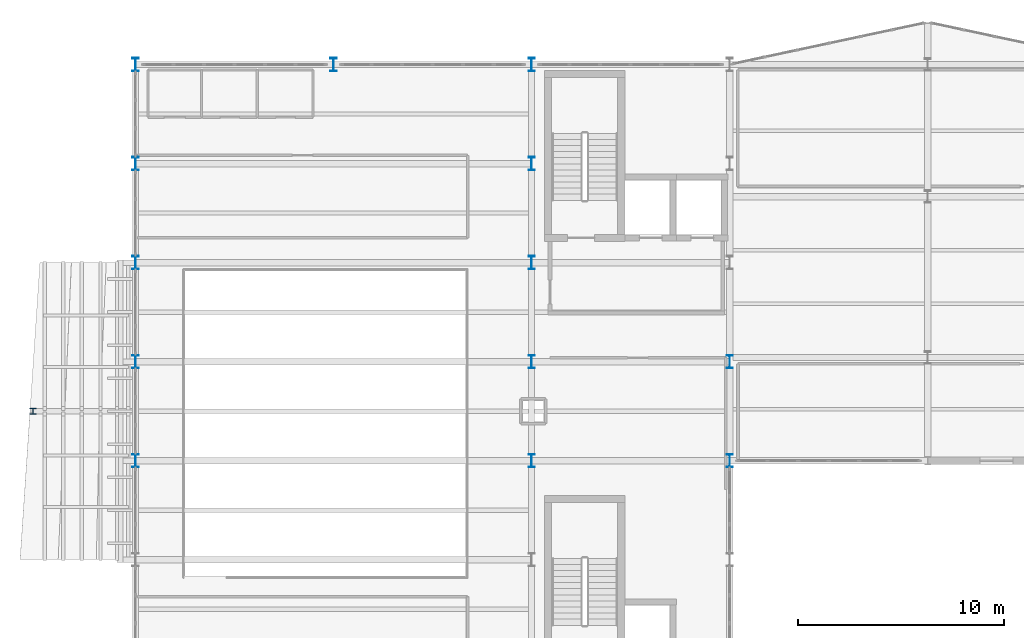
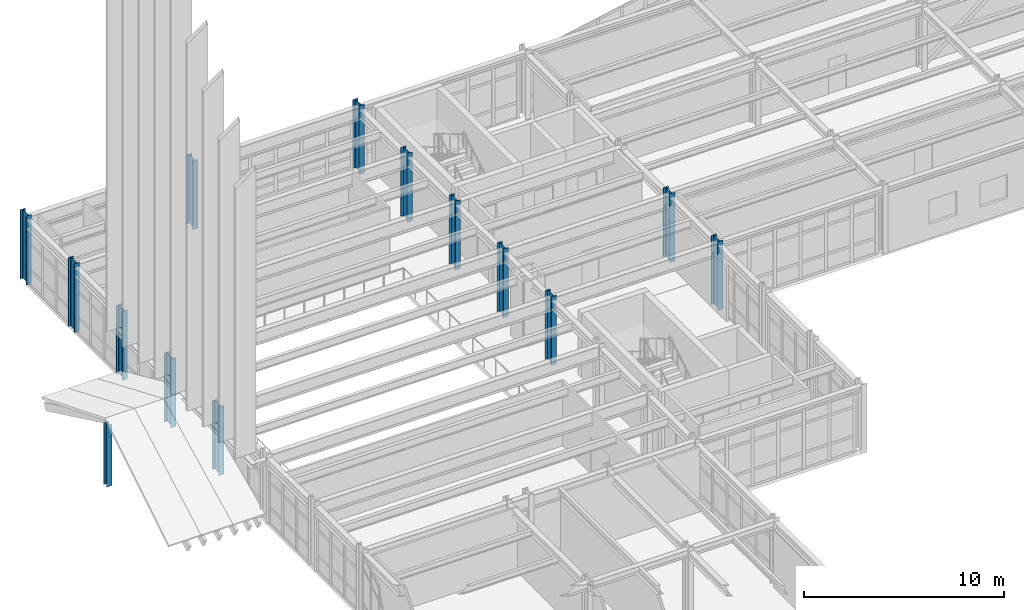
# One storey, part 11 of 99: 14 columns.
"""IFC4 building model written with IfcOpenShell, lengths in metres."""

import ifcopenshell
import ifcopenshell.guid

model = None  # the IFC model being written
_history = None  # IfcOwnerHistory: only IFC2X3 demands one
_inside = {}  # id of a spatial element -> (the spatial element, [elements in it])
_under = {}  # id of a project, library or spatial element -> (it, [spatial elements below it])
_declared = {}  # id of a project -> (the project, [libraries it declares])
_typed = {}  # id of a type object -> (the type object, [elements of that type])
_made_of = {}  # id of a material, layer set ... -> (it, [elements and type objects made of it])


def new_model(schema):
    """Start an empty IFC model of exactly this schema.

    Asked for "IFC4X3", IfcOpenShell would pick the latest addendum, in which some entities
    have other attributes; the version numbers below select the first issue.
    IFC2X3 requires an IfcOwnerHistory on every rooted entity: one is made here for all.
    """
    global model, _history
    if schema == "IFC4X3":
        model = ifcopenshell.file(schema_version=(4, 3, 0, 0))
    else:
        model = ifcopenshell.file(schema=schema)
    _inside.clear()
    _under.clear()
    _declared.clear()
    _typed.clear()
    _made_of.clear()
    _history = None
    if model.schema == "IFC2X3":
        org = make("IfcOrganization", Name="unknown")
        user = make(
            "IfcPersonAndOrganization",
            ThePerson=make("IfcPerson", FamilyName="unknown"),
            TheOrganization=org,
        )
        app = make(
            "IfcApplication",
            ApplicationDeveloper=org,
            Version="unknown",
            ApplicationFullName="unknown",
            ApplicationIdentifier="unknown",
        )
        _history = make(
            "IfcOwnerHistory",
            OwningUser=user,
            OwningApplication=app,
            ChangeAction="ADDED",
            CreationDate=0,
        )
    return model


def make(cls, **values):
    """One entity of the class cls with the attributes given. An attribute that is None is left unset."""
    return model.create_entity(
        cls, **{name: value for name, value in values.items() if value is not None}
    )


def rooted(cls, **values):
    """An entity with a GlobalId (a new one), such as an element, a storey or a relation."""
    return make(cls, GlobalId=ifcopenshell.guid.new(), OwnerHistory=_history, **values)


def si_unit(unit_type, name, prefix=None):
    """IfcSIUnit, for example si_unit("LENGTHUNIT", "METRE", prefix="MILLI")."""
    return make("IfcSIUnit", UnitType=unit_type, Prefix=prefix, Name=name)


def assignment(units):
    """IfcUnitAssignment: the units of a project."""
    return None if units is None else make("IfcUnitAssignment", Units=units)


def point(xyz):
    """IfcCartesianPoint."""
    return None if xyz is None else make("IfcCartesianPoint", Coordinates=xyz)


def direction(xyz):
    """IfcDirection."""
    return None if xyz is None else make("IfcDirection", DirectionRatios=xyz)


def frame(location, z_axis=None, x_axis=None):
    """IfcAxis2Placement3D, a coordinate frame: its origin and axes. An axis left out is left unset."""
    return make(
        "IfcAxis2Placement3D",
        Location=point(location),
        Axis=direction(z_axis),
        RefDirection=direction(x_axis),
    )


def frame_2d(location, x_axis=None):
    """IfcAxis2Placement2D, a coordinate frame in the plane: its origin and x axis."""
    return make(
        "IfcAxis2Placement2D", Location=point(location), RefDirection=direction(x_axis)
    )


def origin():
    """The frame at (0, 0, 0) with its axes left unset."""
    return frame((0.0, 0.0, 0.0))


def origin_2d():
    """The frame at (0, 0) in the plane with its x axis left unset."""
    return frame_2d((0.0, 0.0))


def place(relative_to, where):
    """IfcLocalPlacement: puts the frame where relative to a parent placement (None: the world)."""
    return make(
        "IfcLocalPlacement", PlacementRelTo=relative_to, RelativePlacement=where
    )


def context(
    kind, dimensions, precision=None, world=None, true_north=None, identifier=None
):
    """IfcGeometricRepresentationContext, for example the 3D "Model" context."""
    return make(
        "IfcGeometricRepresentationContext",
        ContextIdentifier=identifier,
        ContextType=kind,
        CoordinateSpaceDimension=dimensions,
        Precision=precision,
        WorldCoordinateSystem=world,
        TrueNorth=true_north,
    )


def subcontext(parent, identifier, kind, view, scale=None):
    """IfcGeometricRepresentationSubContext, for example "Body" below "Model"."""
    return make(
        "IfcGeometricRepresentationSubContext",
        ContextIdentifier=identifier,
        ContextType=kind,
        ParentContext=parent,
        TargetScale=scale,
        TargetView=view,
    )


def project(units=None, contexts=None):
    """IfcProject with its units and contexts."""
    return rooted(
        "IfcProject",
        Name="project",
        RepresentationContexts=contexts,
        UnitsInContext=assignment(units),
    )


def spatial(cls, under=None, at=None, **own):
    """A site, building, storey or space (cls), placed at a placement, below another one or the project."""
    s = rooted(cls, ObjectPlacement=at, **own)
    if under is not None:
        _under.setdefault(under.id(), (under, []))[1].append(s)
    return s


def profile(cls, at=None, kind="AREA", **sizes):
    """A parametric profile (cls). Its sizes go by their IFC names, for example OverallWidth=200.0."""
    return make(cls, ProfileType=kind, Position=at, **sizes)


def i_section(**sizes):
    """IfcIShapeProfileDef."""
    return profile("IfcIShapeProfileDef", **sizes)


def extrude(swept, where, along, depth):
    """IfcExtrudedAreaSolid: the profile swept, set in the frame where, extruded along a direction by depth."""
    return make(
        "IfcExtrudedAreaSolid",
        SweptArea=swept,
        Position=where,
        ExtrudedDirection=direction(along),
        Depth=depth,
    )


def shape(context_of_items, identifier, shape_type, items):
    """IfcShapeRepresentation: the items that make up one representation, for example the "Body"."""
    return make(
        "IfcShapeRepresentation",
        ContextOfItems=context_of_items,
        RepresentationIdentifier=identifier,
        RepresentationType=shape_type,
        Items=items,
    )


def material(Name=None, Category=None):
    """IfcMaterial."""
    return make("IfcMaterial", Name=Name, Category=Category)


def material_profile(
    of_material, cross_section, Name=None, Category=None, Priority=None
):
    """IfcMaterialProfile: a cross section and its material."""
    return make(
        "IfcMaterialProfile",
        Name=Name,
        Material=of_material,
        Profile=cross_section,
        Priority=Priority,
        Category=Category,
    )


def profile_set(profiles, Name=None, composite=None):
    """IfcMaterialProfileSet."""
    return make(
        "IfcMaterialProfileSet",
        Name=Name,
        MaterialProfiles=profiles,
        CompositeProfile=composite,
    )


def made_of(thing, what):
    """Note that an element or type object is made of a material, layer set ...; save() writes the relation."""
    if what is not None:
        _made_of.setdefault(what.id(), (what, []))[1].append(thing)
    return thing


def type_object(cls, material=None, **own):
    """A type object (cls), such as IfcWallType, which elements share."""
    return made_of(rooted(cls, **own), material)


def element(
    cls,
    number,
    at=None,
    inside=None,
    cuts=None,
    type_object=None,
    material=None,
    context=None,
    identifier="Body",
    shape_type=None,
    held_by="IfcProductDefinitionShape",
    body=None,
    shapes=None,
    **own,
):
    """One element of the class cls, such as IfcWall. Its Tag is "e" and its number.

    at: its placement. inside: the storey or other place that contains it. cuts: it is an
    opening in that element (IfcRelVoidsElement). A single representation is given by context,
    identifier, shape_type and body (its items); several are given by shapes. held_by: the class
    of the entity that holds the representations. save() writes the other relations.
    """
    e = rooted(cls, Tag="e%d" % number, ObjectPlacement=at, **own)
    if body is not None:
        shapes = [shape(context, identifier, shape_type, body)]
    if shapes is not None:
        e.Representation = make(held_by, Representations=shapes)
    if inside is not None:
        _inside.setdefault(inside.id(), (inside, []))[1].append(e)
    if cuts is not None:
        rooted(
            "IfcRelVoidsElement", RelatingBuildingElement=cuts, RelatedOpeningElement=e
        )
    if type_object is not None:
        _typed.setdefault(type_object.id(), (type_object, []))[1].append(e)
    return made_of(e, material)


def aggregate(whole, parts):
    """IfcRelAggregates: a whole, such as a stair, and the parts it consists of."""
    return rooted("IfcRelAggregates", RelatingObject=whole, RelatedObjects=parts)


def save(model, path):
    """Write the relations noted so far, then the file.

    IfcRelAggregates (storeys below a building ...), IfcRelContainedInSpatialStructure (elements
    in a storey), IfcRelDefinesByType, IfcRelAssociatesMaterial and IfcRelDeclares: one each for
    every whole, place, type object, material and project.
    """
    for whole, parts in _under.values():
        aggregate(whole, parts)
    for where, things in _inside.values():
        rooted(
            "IfcRelContainedInSpatialStructure",
            RelatedElements=things,
            RelatingStructure=where,
        )
    for kind, things in _typed.values():
        rooted("IfcRelDefinesByType", RelatedObjects=things, RelatingType=kind)
    for what, things in _made_of.values():
        rooted("IfcRelAssociatesMaterial", RelatedObjects=things, RelatingMaterial=what)
    for by, libraries in _declared.values():
        rooted("IfcRelDeclares", RelatingContext=by, RelatedDefinitions=libraries)
    model.write(path)


model = new_model("IFC4")

# Units and contexts
model_context = context("Model", 3, precision=1e-05, world=origin(), true_north=direction((0.0, 1.0)))
body_context = subcontext(model_context, "Body", "Model", "MODEL_VIEW")
ifc_project = project(units=[si_unit("LENGTHUNIT", "METRE"), si_unit("AREAUNIT", "SQUARE_METRE"), si_unit("VOLUMEUNIT", "CUBIC_METRE"), si_unit("PLANEANGLEUNIT", "RADIAN"), si_unit("MASSUNIT", "GRAM", prefix="KILO")], contexts=[model_context])

# Site, building, storey
site_placement = place(None, origin())
site = spatial("IfcSite", under=ifc_project, at=site_placement, CompositionType="ELEMENT")
building_placement = place(site_placement, origin())
building = spatial("IfcBuilding", under=site, at=building_placement, Name="Nordkorset Police Headquarters", CompositionType="ELEMENT")
storey_placement = place(building_placement, frame((0.0, 0.0, 5.25)))
storey = spatial("IfcBuildingStorey", under=building, at=storey_placement, Name="L01", CompositionType="ELEMENT", Elevation=5.25)

# Columns
ifc_material_1 = material(Name="Steel S355J2", Category="steel")
ifc_material_profile_1 = material_profile(ifc_material_1, i_section(OverallWidth=0.300048828125, OverallDepth=0.300048828125, WebThickness=0.010986328125, FlangeThickness=0.01904296875, FilletRadius=0.027099609375, at=origin_2d()), Name="HEB 300")
ifc_profile_set_1 = profile_set([ifc_material_profile_1], Name="Steel S355J2")
column_type_1 = type_object("IfcColumnType", Name="Col_HEB_300", PredefinedType="COLUMN", material=ifc_profile_set_1)
column_placement = place(storey_placement, frame((-4.969970703125, 100.0, -0.52001953125), z_axis=(0.0, 0.0, 1.0), x_axis=(1.0, 0.0, 0.0)))
element("IfcColumn", 1, at=column_placement, inside=storey, type_object=column_type_1, Name="Canopy Gable King Post", PredefinedType="COLUMN", context=body_context, shape_type="SweptSolid", body=[
    extrude(i_section(OverallWidth=0.300048828125, OverallDepth=0.300048828125, WebThickness=0.010986328125, FlangeThickness=0.01904296875, FilletRadius=0.027099609375, at=origin_2d()), origin(), (0.0, 0.0, 1.0), 3.77001953125),
])
ifc_material_2 = material(Name="Steel S355J2", Category="steel")
ifc_material_profile_2 = material_profile(ifc_material_2, i_section(OverallWidth=0.300048828125, OverallDepth=0.64990234375, WebThickness=0.01611328125, FlangeThickness=0.031005859375, FilletRadius=0.027099609375, at=origin_2d()), Name="HEB 650")
ifc_profile_set_2 = profile_set([ifc_material_profile_2], Name="Steel S355J2")
column_type_2 = type_object("IfcColumnType", Name="Col_HEB_650", PredefinedType="COLUMN", material=ifc_profile_set_2)
for number, where, z_axis, x_axis, name in (
    (2, (0.0, 97.60009765625, 0.0), (0.0, 0.0, 1.0), (1.0, 0.0, 0.0), "Structural Column V1_W_3 L01"),
    (3, (28.800048828125, 97.60009765625, 0.0), (0.0, 0.0, 1.0), (1.0, 0.0, 0.0), "Structural Column V1_E_3 L01"),
    (4, (0.0, 102.39990234375, 0.0), (0.0, 0.0, 1.0), (1.0, 0.0, 0.0), "Structural Column V1_W_4 L01"),
    (5, (28.800048828125, 102.39990234375, 0.0), (0.0, 0.0, 1.0), (1.0, 0.0, 0.0), "Structural Column V1_E_4 L01"),
    (6, (0.0, 107.199951171875, 0.0), (0.0, 0.0, 1.0), (1.0, 0.0, 0.0), "Structural Column V1_W_5 L01"),
    (7, (0.0, 112.0, 0.0), (0.0, 0.0, 1.0), (1.0, 0.0, 0.0), "Structural Column V1_W_6 L01"),
    (8, (0.0, 116.800048828125, 0.0), (0.0, 0.0, 1.0), (1.0, 0.0, 0.0), "Structural Column V1_W_7 L01"),
    (9, (9.60009765625, 116.800048828125, 0.0), (0.0, 0.0, 1.0), (1.0, 0.0, 0.0), "Structural Column V1_N_0 L01"),
    (10, (19.199951171875, 116.800048828125, 0.0), (0.0, 0.0, 1.0), (1.0, 0.0, 0.0), "Structural Column V1_N_1 L01"),
    (11, (19.199951171875, 97.60009765625, 0.0), (0.0, 0.0, 1.0), (1.0, 0.0, 0.0), "Structural Column V1_CW_2 L01"),
    (12, (19.199951171875, 102.39990234375, 0.0), (0.0, 0.0, 1.0), (1.0, 0.0, 0.0), "Structural Column V1_CW_3 L01"),
    (13, (19.199951171875, 107.199951171875, 0.0), (0.0, 0.0, 1.0), (1.0, 0.0, 0.0), "Structural Column V1_CW_4 L01"),
    (14, (19.199951171875, 112.0, 0.0), (0.0, 0.0, 1.0), (1.0, 0.0, 0.0), "Structural Column V1_CW_5 L01"),
):
    element("IfcColumn", number, at=place(storey_placement, frame(where, z_axis=z_axis, x_axis=x_axis)), inside=storey, type_object=column_type_2, Name=name, PredefinedType="COLUMN", context=body_context, shape_type="SweptSolid", body=[
        extrude(i_section(OverallWidth=0.300048828125, OverallDepth=0.64990234375, WebThickness=0.01611328125, FlangeThickness=0.031005859375, FilletRadius=0.027099609375, at=origin_2d()), origin(), (0.0, 0.0, 1.0), 4.199951171875),
    ])

save(model, "model.ifc")
